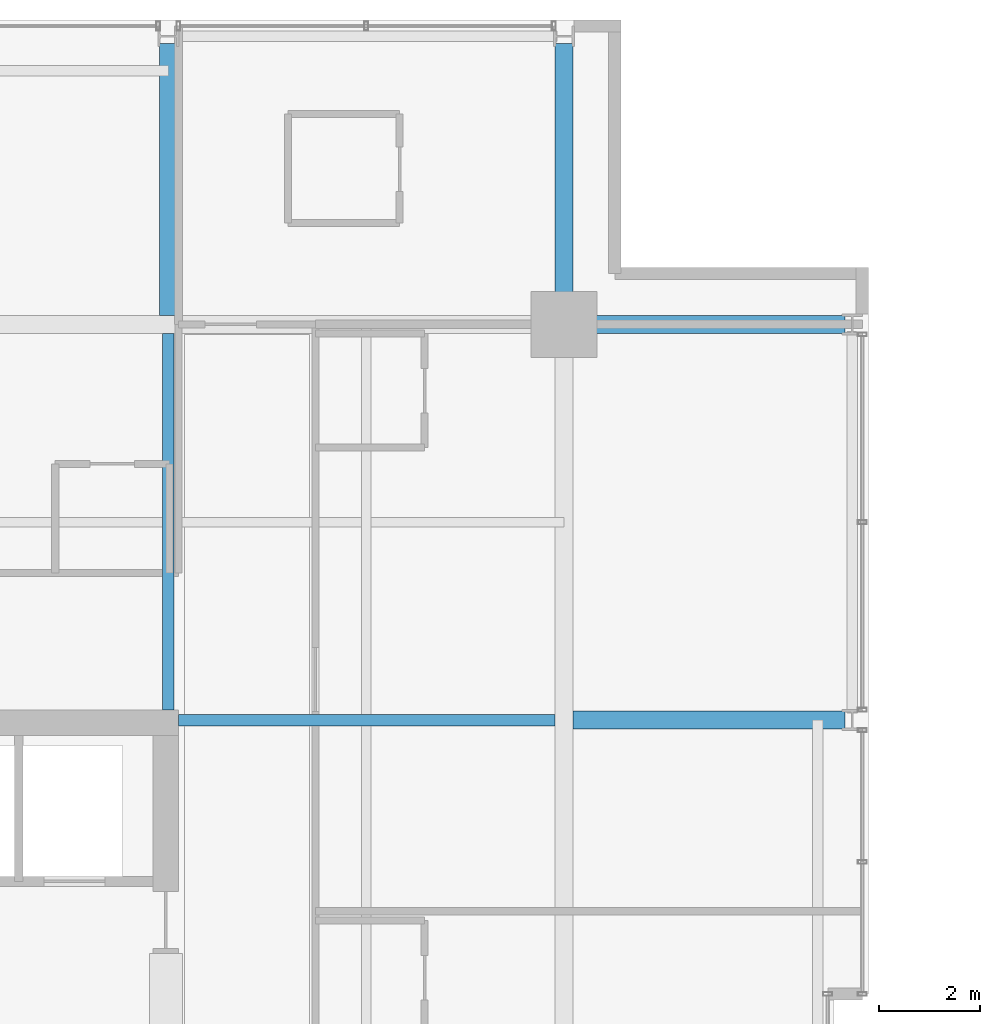
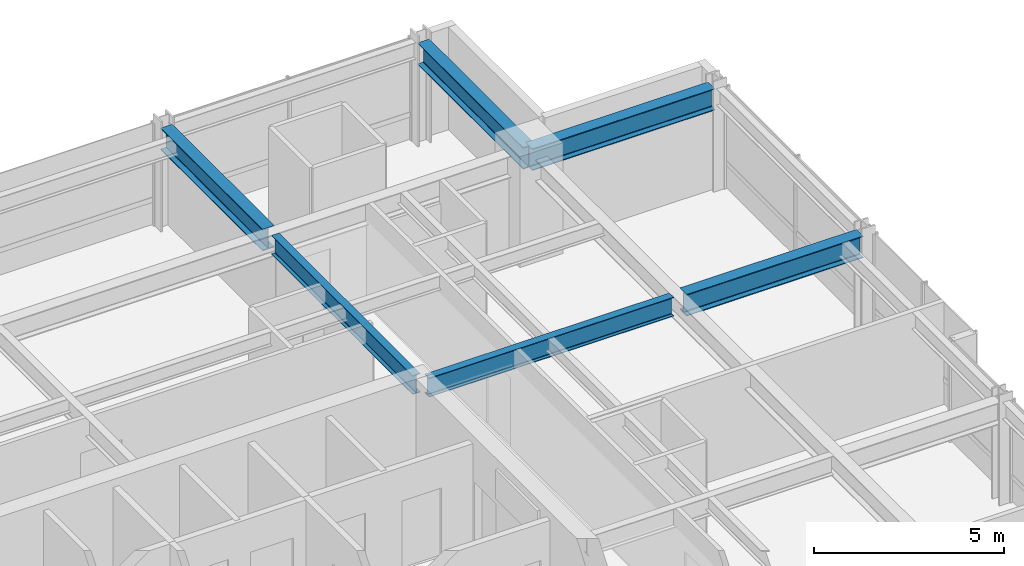
# One storey, part 23 of 32: 6 beams.
"""IFC4 building model written with IfcOpenShell, lengths in metres."""

from ifc_helpers import new_model, si_unit, direction, frame, origin, origin_2d, place, context, subcontext, project, spatial, i_section, extrude, material, material_profile, profile_set, type_object, element, save


model = new_model("IFC4")

# Units and contexts
model_context = context("Model", 3, precision=1e-05, world=origin(), true_north=direction((0.0, 1.0)))
body_context = subcontext(model_context, "Body", "Model", "MODEL_VIEW")
ifc_project = project(units=[si_unit("LENGTHUNIT", "METRE"), si_unit("AREAUNIT", "SQUARE_METRE"), si_unit("VOLUMEUNIT", "CUBIC_METRE"), si_unit("PLANEANGLEUNIT", "RADIAN"), si_unit("MASSUNIT", "GRAM", prefix="KILO")], contexts=[model_context])

# Site, building, storey
site_placement = place(None, origin())
site = spatial("IfcSite", under=ifc_project, at=site_placement, CompositionType="ELEMENT")
building_placement = place(site_placement, origin())
building = spatial("IfcBuilding", under=site, at=building_placement, Name="Drelvath Grand Hotel", CompositionType="ELEMENT")
storey_placement = place(building_placement, frame((0.0, 0.0, 164.60009765625)))
storey = spatial("IfcBuildingStorey", under=building, at=storey_placement, Name="L42", CompositionType="ELEMENT", Elevation=164.60009765625)

# Beams
ifc_material = material(Name="Steel ASTM A992 Gr 50", Category="steel")
ifc_material_profile_1 = material_profile(ifc_material, i_section(OverallWidth=0.228271484375, OverallDepth=0.607666015625, WebThickness=0.01123046875, FlangeThickness=0.017333984375, FilletRadius=0.02001953125, at=origin_2d()), Name="W24X76")
ifc_profile_set_1 = profile_set([ifc_material_profile_1], Name="Steel ASTM A992 Gr 50")
beam_type_1 = type_object("IfcBeamType", Name="Primary Floor Girder W24X76", PredefinedType="BEAM", material=ifc_profile_set_1)
for number, where, z_axis, x_axis, name in (
    (1, (8.60009765625, 35.39990234375, 2.986083984375), (1.0, 0.0, 0.0), (0.0, 1.0, 0.0), "L42 East Core Tie F"),
    (2, (8.39990234375, 35.60009765625, 2.986083984375), (0.0, 1.0, 0.0), (-1.0, 0.0, 0.0), "L42 North Core Tie 6"),
):
    element("IfcBeam", number, at=place(storey_placement, frame(where, z_axis=z_axis, x_axis=x_axis)), inside=storey, type_object=beam_type_1, Name=name, PredefinedType="BEAM", context=body_context, shape_type="SweptSolid", body=[
        extrude(i_section(OverallWidth=0.228271484375, OverallDepth=0.607666015625, WebThickness=0.01123046875, FlangeThickness=0.017333984375, FilletRadius=0.02001953125, at=origin_2d()), origin(), (0.0, 0.0, 1.0), 7.422607421875),
    ])
ifc_material_profile_2 = material_profile(ifc_material, i_section(OverallWidth=0.354736328125, OverallDepth=0.695556640625, WebThickness=0.015380859375, FlangeThickness=0.025146484375, FilletRadius=0.02392578125, at=origin_2d()), Name="W27X146")
ifc_profile_set_2 = profile_set([ifc_material_profile_2], Name="Steel ASTM A992 Gr 50")
beam_type_2 = type_object("IfcBeamType", Name="Primary Floor Girder W27X146", PredefinedType="BEAM", material=ifc_profile_set_2)
beam_1_placement = place(storey_placement, frame((16.199951171875, 43.199951171875, 2.942138671875), z_axis=(1.0, 0.0, 0.0), x_axis=(0.0, 1.0, 0.0)))
element("IfcBeam", 3, at=beam_1_placement, inside=storey, type_object=beam_type_2, Name="L42 East Grid Girder G", PredefinedType="BEAM", context=body_context, shape_type="SweptSolid", body=[
    extrude(i_section(OverallWidth=0.354736328125, OverallDepth=0.695556640625, WebThickness=0.015380859375, FlangeThickness=0.025146484375, FilletRadius=0.02392578125, at=origin_2d()), origin(), (0.0, 0.0, 1.0), 5.5400390625),
])
beam_2_placement = place(storey_placement, frame((16.37744140625, 35.39990234375, 2.942138671875), z_axis=(1.0, 0.0, 0.0), x_axis=(0.0, 1.0, 0.0)))
element("IfcBeam", 4, at=beam_2_placement, inside=storey, type_object=beam_type_2, Name="L42 East Wing Girder F", PredefinedType="BEAM", context=body_context, shape_type="SweptSolid", body=[
    extrude(i_section(OverallWidth=0.354736328125, OverallDepth=0.695556640625, WebThickness=0.015380859375, FlangeThickness=0.025146484375, FilletRadius=0.02392578125, at=origin_2d()), origin(), (0.0, 0.0, 1.0), 5.362548828125),
])
beam_3_placement = place(storey_placement, frame((16.199951171875, 43.199951171875, 2.942138671875), z_axis=(0.0, 1.0, 0.0), x_axis=(-1.0, 0.0, 0.0)))
element("IfcBeam", 5, at=beam_3_placement, inside=storey, type_object=beam_type_2, Name="L42 North Grid Girder 7", PredefinedType="BEAM", context=body_context, shape_type="SweptSolid", body=[
    extrude(i_section(OverallWidth=0.354736328125, OverallDepth=0.695556640625, WebThickness=0.015380859375, FlangeThickness=0.025146484375, FilletRadius=0.02392578125, at=origin_2d()), origin(), (0.0, 0.0, 1.0), 5.5400390625),
])
beam_4_placement = place(storey_placement, frame((8.39990234375, 43.37744140625, 2.942138671875), z_axis=(0.0, 1.0, 0.0), x_axis=(-1.0, 0.0, 0.0)))
element("IfcBeam", 6, at=beam_4_placement, inside=storey, type_object=beam_type_2, Name="L42 North Wing Girder 6", PredefinedType="BEAM", context=body_context, shape_type="SweptSolid", body=[
    extrude(i_section(OverallWidth=0.354736328125, OverallDepth=0.695556640625, WebThickness=0.015380859375, FlangeThickness=0.025146484375, FilletRadius=0.02392578125, at=origin_2d()), origin(), (0.0, 0.0, 1.0), 5.362548828125),
])

save(model, "model.ifc")
